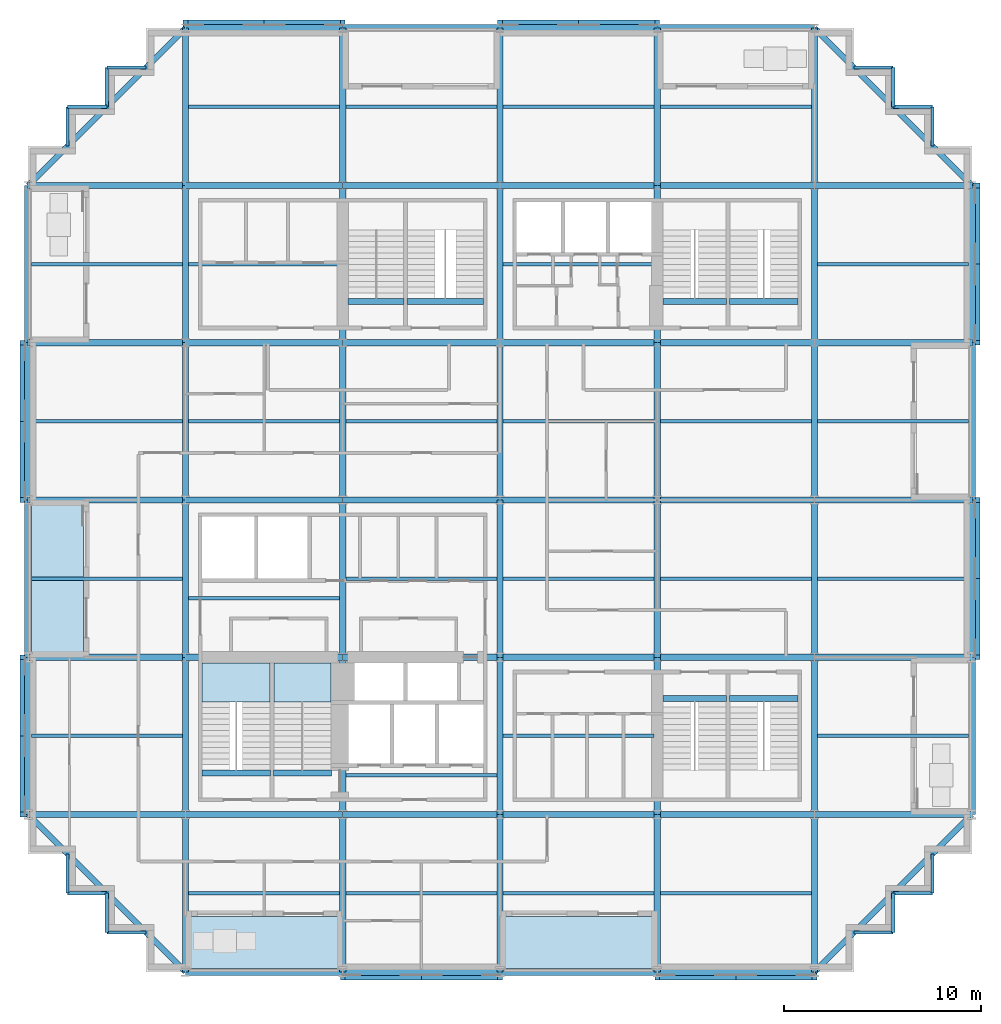
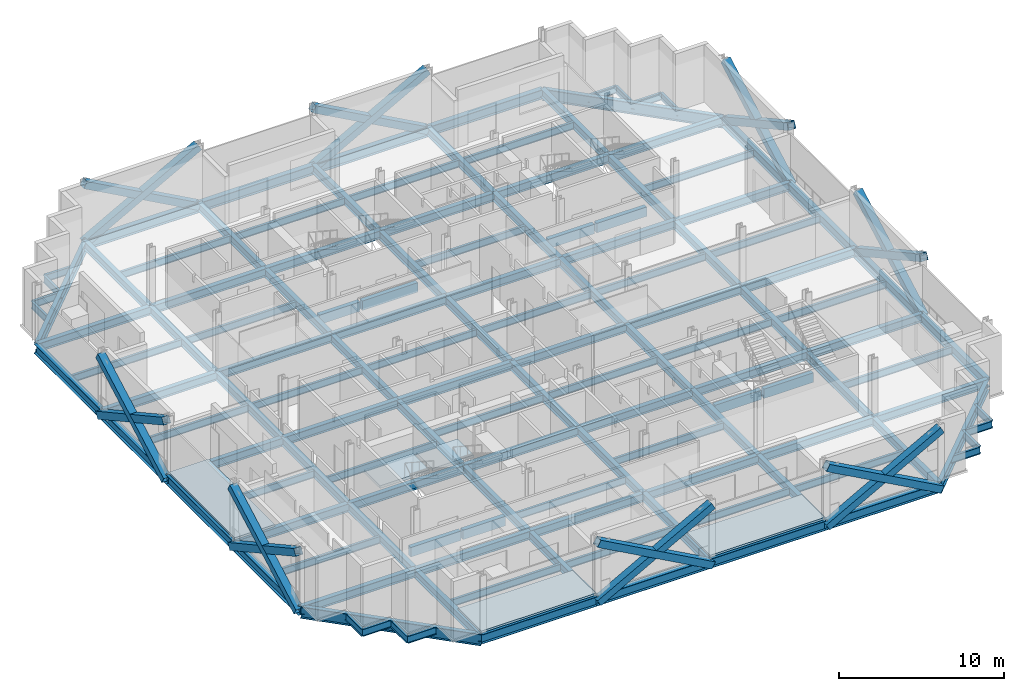
# One storey, part 3 of 14: 132 beams, 16 members, 5 slabs, 2 elements without a shape of their own.
"""IFC4 building model written with IfcOpenShell, lengths in metres."""

from ifc_helpers import new_model, si_unit, direction, frame, origin, origin_2d, place, context, subcontext, project, spatial, polyline, rectangle, hollow_rectangle, i_section, outline, extrude, material, layer, layer_set, material_profile, profile_set, type_object, element, aggregate, save


model = new_model("IFC4")

# Units and contexts
model_context = context("Model", 3, precision=1e-05, world=origin(), true_north=direction((0.0, 1.0)))
body_context = subcontext(model_context, "Body", "Model", "MODEL_VIEW")
ifc_project = project(units=[si_unit("LENGTHUNIT", "METRE"), si_unit("AREAUNIT", "SQUARE_METRE"), si_unit("VOLUMEUNIT", "CUBIC_METRE"), si_unit("PLANEANGLEUNIT", "RADIAN"), si_unit("MASSUNIT", "GRAM", prefix="KILO")], contexts=[model_context])

# Site, building, storey
site_placement = place(None, origin())
site = spatial("IfcSite", under=ifc_project, at=site_placement, CompositionType="ELEMENT")
building_placement = place(site_placement, origin())
building = spatial("IfcBuilding", under=site, at=building_placement, Name="Immortelle Media Tower", CompositionType="ELEMENT")
storey_placement = place(building_placement, frame((0.0, 0.0, 43.60009765625)))
storey = spatial("IfcBuildingStorey", under=building, at=storey_placement, Name="L06", CompositionType="ELEMENT", Elevation=43.60009765625)

# Members
ifc_material_1 = material(Name="Steel ASTM A500 Gr C", Category="steel")
ifc_material_profile_1 = material_profile(ifc_material_1, hollow_rectangle(XDim=0.508056640625, YDim=0.508056640625, WallThickness=0.011962890625, at=origin_2d()), Name="HSS20x20x1/2 brace")
ifc_profile_set_1 = profile_set([ifc_material_profile_1], Name="Steel ASTM A500 Gr C")
member_type = type_object("IfcMemberType", Name="HSS20x20x1/2 brace", PredefinedType="BRACE", material=ifc_profile_set_1)
for number, where, z_axis, x_axis, name in (
    (1, (-0.1640625, 32.0, -0.498046875), (0.0, -0.876220425204, 0.481910537812), (1.0, 0.0, 0.0), "Brace 1/D-E A"),
    (2, (-0.1640625, 32.0, 3.90185546875), (0.0, -0.876220425204, -0.481910537812), (1.0, 0.0, 0.0), "Brace 1/D-E B"),
    (3, (-0.1640625, 16.0, -0.498046875), (0.0, -0.876220425204, 0.481910537812), (1.0, 0.0, 0.0), "Brace 1/B-C A"),
    (4, (-0.1640625, 16.0, 3.90185546875), (0.0, -0.876220425204, -0.481910537812), (1.0, 0.0, 0.0), "Brace 1/B-C B"),
    (5, (16.0, -0.1640625, -0.498046875), (0.876220425204, 0.0, 0.481910537812), (0.0, 1.0, 0.0), "Brace A/3-4 A"),
    (6, (16.0, -0.1640625, 3.90185546875), (0.876220425204, 0.0, -0.481910537812), (0.0, 1.0, 0.0), "Brace A/3-4 B"),
    (7, (32.0, -0.1640625, -0.498046875), (0.876220425204, 0.0, 0.481910537812), (0.0, 1.0, 0.0), "Brace A/5-6 A"),
    (8, (32.0, -0.1640625, 3.90185546875), (0.876220425204, 0.0, -0.481910537812), (0.0, 1.0, 0.0), "Brace A/5-6 B"),
    (9, (48.1640625, 16.0, -0.498046875), (0.0, 0.876220425204, 0.481910537812), (-1.0, 0.0, 0.0), "Brace 7/C-D A"),
    (10, (48.1640625, 16.0, 3.90185546875), (0.0, 0.876220425204, -0.481910537812), (-1.0, 0.0, 0.0), "Brace 7/C-D B"),
    (11, (48.1640625, 32.0, -0.498046875), (0.0, 0.876220425204, 0.481910537812), (-1.0, 0.0, 0.0), "Brace 7/E-F A"),
    (12, (48.1640625, 32.0, 3.90185546875), (0.0, 0.876220425204, -0.481910537812), (-1.0, 0.0, 0.0), "Brace 7/E-F B"),
    (13, (32.0, 48.1640625, -0.498046875), (-0.876220425204, 0.0, 0.481910537812), (0.0, -1.0, 0.0), "Brace G/4-5 A"),
    (14, (32.0, 48.1640625, 3.90185546875), (-0.876220425204, 0.0, -0.481910537812), (0.0, -1.0, 0.0), "Brace G/4-5 B"),
    (15, (16.0, 48.1640625, -0.498046875), (-0.876220425204, 0.0, 0.481910537812), (0.0, -1.0, 0.0), "Brace G/2-3 A"),
    (16, (16.0, 48.1640625, 3.90185546875), (-0.876220425204, 0.0, -0.481910537812), (0.0, -1.0, 0.0), "Brace G/2-3 B"),
):
    element("IfcMember", number, at=place(storey_placement, frame(where, z_axis=z_axis, x_axis=x_axis)), inside=storey, type_object=member_type, Name=name, PredefinedType="BRACE", context=body_context, shape_type="SweptSolid", body=[
        extrude(hollow_rectangle(XDim=0.508056640625, YDim=0.508056640625, WallThickness=0.011962890625, at=origin_2d()), origin(), (0.0, 0.0, 1.0), 9.130126953125),
    ])

# Beams
ifc_material_2 = material(Name="Concrete C50/60", Category="concrete")
ifc_material_profile_2 = material_profile(ifc_material_2, rectangle(XDim=0.300048828125, YDim=0.699951171875, at=origin_2d()), Name="RC 300x700")
ifc_profile_set_2 = profile_set([ifc_material_profile_2], Name="Concrete C50/60")
beam_type_1 = type_object("IfcBeamType", Name="Stair trimmer beam 300 x 700", PredefinedType="BEAM", material=ifc_profile_set_2)
beam_1_placement = place(storey_placement, frame((8.830078125, 10.10498046875, -0.5), z_axis=(1.0, 0.0, 0.0), x_axis=(0.0, 1.0, 0.0)))
element("IfcBeam", 17, at=beam_1_placement, inside=storey, type_object=beam_type_1, Name="Stair trimmer beam SW1", PredefinedType="BEAM", context=body_context, shape_type="SweptSolid", body=[
    extrude(rectangle(XDim=0.300048828125, YDim=0.699951171875, at=origin_2d()), origin(), (0.0, 0.0, 1.0), 3.489990234375),
])
beam_2_placement = place(storey_placement, frame((12.47998046875, 10.10498046875, -0.5), z_axis=(1.0, 0.0, 0.0), x_axis=(0.0, 1.0, 0.0)))
element("IfcBeam", 18, at=beam_2_placement, inside=storey, type_object=beam_type_1, Name="Stair trimmer beam SW2", PredefinedType="BEAM", context=body_context, shape_type="SweptSolid", body=[
    extrude(rectangle(XDim=0.300048828125, YDim=0.699951171875, at=origin_2d()), origin(), (0.0, 0.0, 1.0), 2.93994140625),
])
beam_3_placement = place(storey_placement, frame((32.280029296875, 13.89501953125, -0.5), z_axis=(1.0, 0.0, 0.0), x_axis=(0.0, 1.0, 0.0)))
element("IfcBeam", 19, at=beam_3_placement, inside=storey, type_object=beam_type_1, Name="Stair trimmer beam SE1", PredefinedType="BEAM", context=body_context, shape_type="SweptSolid", body=[
    extrude(rectangle(XDim=0.300048828125, YDim=0.699951171875, at=origin_2d()), origin(), (0.0, 0.0, 1.0), 3.239990234375),
])
beam_4_placement = place(storey_placement, frame((35.679931640625, 13.89501953125, -0.5), z_axis=(1.0, 0.0, 0.0), x_axis=(0.0, 1.0, 0.0)))
element("IfcBeam", 20, at=beam_4_placement, inside=storey, type_object=beam_type_1, Name="Stair trimmer beam SE2", PredefinedType="BEAM", context=body_context, shape_type="SweptSolid", body=[
    extrude(rectangle(XDim=0.300048828125, YDim=0.699951171875, at=origin_2d()), origin(), (0.0, 0.0, 1.0), 3.489990234375),
])
beam_5_placement = place(storey_placement, frame((16.280029296875, 34.10498046875, -0.5), z_axis=(1.0, 0.0, 0.0), x_axis=(0.0, 1.0, 0.0)))
element("IfcBeam", 21, at=beam_5_placement, inside=storey, type_object=beam_type_1, Name="Stair trimmer beam NW1", PredefinedType="BEAM", context=body_context, shape_type="SweptSolid", body=[
    extrude(rectangle(XDim=0.300048828125, YDim=0.699951171875, at=origin_2d()), origin(), (0.0, 0.0, 1.0), 2.840087890625),
])
beam_6_placement = place(storey_placement, frame((19.280029296875, 34.10498046875, -0.5), z_axis=(1.0, 0.0, 0.0), x_axis=(0.0, 1.0, 0.0)))
element("IfcBeam", 22, at=beam_6_placement, inside=storey, type_object=beam_type_1, Name="Stair trimmer beam NW2", PredefinedType="BEAM", context=body_context, shape_type="SweptSolid", body=[
    extrude(rectangle(XDim=0.300048828125, YDim=0.699951171875, at=origin_2d()), origin(), (0.0, 0.0, 1.0), 3.889892578125),
])
beam_7_placement = place(storey_placement, frame((32.280029296875, 34.10498046875, -0.5), z_axis=(1.0, 0.0, 0.0), x_axis=(0.0, 1.0, 0.0)))
element("IfcBeam", 23, at=beam_7_placement, inside=storey, type_object=beam_type_1, Name="Stair trimmer beam NE1", PredefinedType="BEAM", context=body_context, shape_type="SweptSolid", body=[
    extrude(rectangle(XDim=0.300048828125, YDim=0.699951171875, at=origin_2d()), origin(), (0.0, 0.0, 1.0), 3.239990234375),
])
beam_8_placement = place(storey_placement, frame((35.679931640625, 34.10498046875, -0.5), z_axis=(1.0, 0.0, 0.0), x_axis=(0.0, 1.0, 0.0)))
element("IfcBeam", 24, at=beam_8_placement, inside=storey, type_object=beam_type_1, Name="Stair trimmer beam NE2", PredefinedType="BEAM", context=body_context, shape_type="SweptSolid", body=[
    extrude(rectangle(XDim=0.300048828125, YDim=0.699951171875, at=origin_2d()), origin(), (0.0, 0.0, 1.0), 3.489990234375),
])
ifc_material_3 = material(Name="Steel ASTM A992 Gr 50", Category="steel")
ifc_material_profile_3 = material_profile(ifc_material_3, i_section(OverallWidth=0.1669921875, OverallDepth=0.535888671875, WebThickness=0.010009765625, FlangeThickness=0.01708984375, at=origin_2d()), Name="W21x57")
ifc_profile_set_3 = profile_set([ifc_material_profile_3], Name="Steel ASTM A992 Gr 50")
beam_type_2 = type_object("IfcBeamType", Name="W21x57 secondary beam", PredefinedType="JOIST", material=ifc_profile_set_3)
for number, where, z_axis, x_axis, name in (
    (25, (8.162109375, 4.0, -0.418212890625), (1.0, 0.0, 0.0), (0.0, 1.0, 0.0), "Beam A-B/2-3"),
    (26, (16.162109375, 4.0, -0.418212890625), (1.0, 0.0, 0.0), (0.0, 1.0, 0.0), "Beam A-B/3-4"),
    (27, (24.162109375, 4.0, -0.418212890625), (1.0, 0.0, 0.0), (0.0, 1.0, 0.0), "Beam A-B/4-5"),
    (28, (32.162109375, 4.0, -0.418212890625), (1.0, 0.0, 0.0), (0.0, 1.0, 0.0), "Beam A-B/5-6"),
):
    element("IfcBeam", number, at=place(storey_placement, frame(where, z_axis=z_axis, x_axis=x_axis)), inside=storey, type_object=beam_type_2, Name=name, PredefinedType="JOIST", context=body_context, shape_type="SweptSolid", body=[
        extrude(i_section(OverallWidth=0.1669921875, OverallDepth=0.535888671875, WebThickness=0.010009765625, FlangeThickness=0.01708984375, at=origin_2d()), origin(), (0.0, 0.0, 1.0), 7.67578125),
    ])
beam_9_placement = place(storey_placement, frame((0.177978515625, 12.0, -0.418212890625), z_axis=(1.0, 0.0, 0.0), x_axis=(0.0, 1.0, 0.0)))
element("IfcBeam", 29, at=beam_9_placement, inside=storey, type_object=beam_type_2, Name="Beam B-C/1-2", PredefinedType="JOIST", context=body_context, shape_type="SweptSolid", body=[
    extrude(i_section(OverallWidth=0.1669921875, OverallDepth=0.535888671875, WebThickness=0.010009765625, FlangeThickness=0.01708984375, at=origin_2d()), origin(), (0.0, 0.0, 1.0), 7.659912109375),
])
for number, where, z_axis, x_axis, name in (
    (30, (16.162109375, 10.0, -0.418212890625), (1.0, 0.0, 0.0), (0.0, 1.0, 0.0), "Beam B-C/3-4"),
    (31, (24.162109375, 12.0, -0.418212890625), (1.0, 0.0, 0.0), (0.0, 1.0, 0.0), "Beam B-C/4-5"),
):
    element("IfcBeam", number, at=place(storey_placement, frame(where, z_axis=z_axis, x_axis=x_axis)), inside=storey, type_object=beam_type_2, Name=name, PredefinedType="JOIST", context=body_context, shape_type="SweptSolid", body=[
        extrude(i_section(OverallWidth=0.1669921875, OverallDepth=0.535888671875, WebThickness=0.010009765625, FlangeThickness=0.01708984375, at=origin_2d()), origin(), (0.0, 0.0, 1.0), 7.67578125),
    ])
for number, where, z_axis, x_axis, name in (
    (32, (40.162109375, 12.0, -0.418212890625), (1.0, 0.0, 0.0), (0.0, 1.0, 0.0), "Beam B-C/6-7"),
    (33, (0.177978515625, 20.0, -0.418212890625), (1.0, 0.0, 0.0), (0.0, 1.0, 0.0), "Beam C-D/1-2"),
):
    element("IfcBeam", number, at=place(storey_placement, frame(where, z_axis=z_axis, x_axis=x_axis)), inside=storey, type_object=beam_type_2, Name=name, PredefinedType="JOIST", context=body_context, shape_type="SweptSolid", body=[
        extrude(i_section(OverallWidth=0.1669921875, OverallDepth=0.535888671875, WebThickness=0.010009765625, FlangeThickness=0.01708984375, at=origin_2d()), origin(), (0.0, 0.0, 1.0), 7.659912109375),
    ])
for number, where, z_axis, x_axis, name in (
    (34, (8.162109375, 19.0, -0.418212890625), (1.0, 0.0, 0.0), (0.0, 1.0, 0.0), "Beam C-D/2-3"),
    (35, (16.162109375, 20.0, -0.418212890625), (1.0, 0.0, 0.0), (0.0, 1.0, 0.0), "Beam C-D/3-4"),
    (36, (24.162109375, 20.0, -0.418212890625), (1.0, 0.0, 0.0), (0.0, 1.0, 0.0), "Beam C-D/4-5"),
    (37, (32.162109375, 20.0, -0.418212890625), (1.0, 0.0, 0.0), (0.0, 1.0, 0.0), "Beam C-D/5-6"),
):
    element("IfcBeam", number, at=place(storey_placement, frame(where, z_axis=z_axis, x_axis=x_axis)), inside=storey, type_object=beam_type_2, Name=name, PredefinedType="JOIST", context=body_context, shape_type="SweptSolid", body=[
        extrude(i_section(OverallWidth=0.1669921875, OverallDepth=0.535888671875, WebThickness=0.010009765625, FlangeThickness=0.01708984375, at=origin_2d()), origin(), (0.0, 0.0, 1.0), 7.67578125),
    ])
for number, where, z_axis, x_axis, name in (
    (38, (40.162109375, 20.0, -0.418212890625), (1.0, 0.0, 0.0), (0.0, 1.0, 0.0), "Beam C-D/6-7"),
    (39, (0.177978515625, 28.0, -0.418212890625), (1.0, 0.0, 0.0), (0.0, 1.0, 0.0), "Beam D-E/1-2"),
):
    element("IfcBeam", number, at=place(storey_placement, frame(where, z_axis=z_axis, x_axis=x_axis)), inside=storey, type_object=beam_type_2, Name=name, PredefinedType="JOIST", context=body_context, shape_type="SweptSolid", body=[
        extrude(i_section(OverallWidth=0.1669921875, OverallDepth=0.535888671875, WebThickness=0.010009765625, FlangeThickness=0.01708984375, at=origin_2d()), origin(), (0.0, 0.0, 1.0), 7.659912109375),
    ])
for number, where, z_axis, x_axis, name in (
    (40, (8.162109375, 28.0, -0.418212890625), (1.0, 0.0, 0.0), (0.0, 1.0, 0.0), "Beam D-E/2-3"),
    (41, (16.162109375, 28.0, -0.418212890625), (1.0, 0.0, 0.0), (0.0, 1.0, 0.0), "Beam D-E/3-4"),
    (42, (24.162109375, 28.0, -0.418212890625), (1.0, 0.0, 0.0), (0.0, 1.0, 0.0), "Beam D-E/4-5"),
    (43, (32.162109375, 28.0, -0.418212890625), (1.0, 0.0, 0.0), (0.0, 1.0, 0.0), "Beam D-E/5-6"),
):
    element("IfcBeam", number, at=place(storey_placement, frame(where, z_axis=z_axis, x_axis=x_axis)), inside=storey, type_object=beam_type_2, Name=name, PredefinedType="JOIST", context=body_context, shape_type="SweptSolid", body=[
        extrude(i_section(OverallWidth=0.1669921875, OverallDepth=0.535888671875, WebThickness=0.010009765625, FlangeThickness=0.01708984375, at=origin_2d()), origin(), (0.0, 0.0, 1.0), 7.67578125),
    ])
for number, where, z_axis, x_axis, name in (
    (44, (40.162109375, 28.0, -0.418212890625), (1.0, 0.0, 0.0), (0.0, 1.0, 0.0), "Beam D-E/6-7"),
    (45, (0.177978515625, 36.0, -0.418212890625), (1.0, 0.0, 0.0), (0.0, 1.0, 0.0), "Beam E-F/1-2"),
):
    element("IfcBeam", number, at=place(storey_placement, frame(where, z_axis=z_axis, x_axis=x_axis)), inside=storey, type_object=beam_type_2, Name=name, PredefinedType="JOIST", context=body_context, shape_type="SweptSolid", body=[
        extrude(i_section(OverallWidth=0.1669921875, OverallDepth=0.535888671875, WebThickness=0.010009765625, FlangeThickness=0.01708984375, at=origin_2d()), origin(), (0.0, 0.0, 1.0), 7.659912109375),
    ])
for number, where, z_axis, x_axis, name in (
    (46, (8.162109375, 36.0, -0.418212890625), (1.0, 0.0, 0.0), (0.0, 1.0, 0.0), "Beam E-F/2-3"),
    (47, (24.162109375, 36.0, -0.418212890625), (1.0, 0.0, 0.0), (0.0, 1.0, 0.0), "Beam E-F/4-5"),
):
    element("IfcBeam", number, at=place(storey_placement, frame(where, z_axis=z_axis, x_axis=x_axis)), inside=storey, type_object=beam_type_2, Name=name, PredefinedType="JOIST", context=body_context, shape_type="SweptSolid", body=[
        extrude(i_section(OverallWidth=0.1669921875, OverallDepth=0.535888671875, WebThickness=0.010009765625, FlangeThickness=0.01708984375, at=origin_2d()), origin(), (0.0, 0.0, 1.0), 7.67578125),
    ])
beam_10_placement = place(storey_placement, frame((40.162109375, 36.0, -0.418212890625), z_axis=(1.0, 0.0, 0.0), x_axis=(0.0, 1.0, 0.0)))
element("IfcBeam", 48, at=beam_10_placement, inside=storey, type_object=beam_type_2, Name="Beam E-F/6-7", PredefinedType="JOIST", context=body_context, shape_type="SweptSolid", body=[
    extrude(i_section(OverallWidth=0.1669921875, OverallDepth=0.535888671875, WebThickness=0.010009765625, FlangeThickness=0.01708984375, at=origin_2d()), origin(), (0.0, 0.0, 1.0), 7.659912109375),
])
for number, where, z_axis, x_axis, name in (
    (49, (8.162109375, 44.0, -0.418212890625), (1.0, 0.0, 0.0), (0.0, 1.0, 0.0), "Beam F-G/2-3"),
    (50, (16.162109375, 44.0, -0.418212890625), (1.0, 0.0, 0.0), (0.0, 1.0, 0.0), "Beam F-G/3-4"),
    (51, (24.162109375, 44.0, -0.418212890625), (1.0, 0.0, 0.0), (0.0, 1.0, 0.0), "Beam F-G/4-5"),
    (52, (32.162109375, 44.0, -0.418212890625), (1.0, 0.0, 0.0), (0.0, 1.0, 0.0), "Beam F-G/5-6"),
):
    element("IfcBeam", number, at=place(storey_placement, frame(where, z_axis=z_axis, x_axis=x_axis)), inside=storey, type_object=beam_type_2, Name=name, PredefinedType="JOIST", context=body_context, shape_type="SweptSolid", body=[
        extrude(i_section(OverallWidth=0.1669921875, OverallDepth=0.535888671875, WebThickness=0.010009765625, FlangeThickness=0.01708984375, at=origin_2d()), origin(), (0.0, 0.0, 1.0), 7.67578125),
    ])
ifc_material_profile_4 = material_profile(ifc_material_3, i_section(OverallWidth=0.1669921875, OverallDepth=0.535888671875, WebThickness=0.010009765625, FlangeThickness=0.01708984375, at=origin_2d()), Name="W21x57")
ifc_profile_set_4 = profile_set([ifc_material_profile_4], Name="Steel ASTM A992 Gr 50")
beam_type_3 = type_object("IfcBeamType", Name="W21x57 serration edge beam", PredefinedType="SPANDREL", material=ifc_profile_set_4)
for number, where, z_axis, x_axis, name in (
    (53, (6.0, 2.0, -0.418212890625), (-1.0, 0.0, 0.0), (0.0, -1.0, 0.0), "Corner edge beam 1 at 1/A"),
    (54, (4.0, 2.0, -0.418212890625), (0.0, 1.0, 0.0), (-1.0, 0.0, 0.0), "Corner edge beam 2 at 1/A"),
    (55, (4.0, 4.0, -0.418212890625), (-1.0, 0.0, 0.0), (0.0, -1.0, 0.0), "Corner edge beam 3 at 1/A"),
    (56, (2.0, 4.0, -0.418212890625), (0.0, 1.0, 0.0), (-1.0, 0.0, 0.0), "Corner edge beam 4 at 1/A"),
    (57, (2.0, 42.0, -0.418212890625), (0.0, 1.0, 0.0), (-1.0, 0.0, 0.0), "Corner edge beam 1 at 1/G"),
    (58, (2.0, 44.0, -0.418212890625), (1.0, 0.0, 0.0), (0.0, 1.0, 0.0), "Corner edge beam 2 at 1/G"),
    (59, (4.0, 44.0, -0.418212890625), (0.0, 1.0, 0.0), (-1.0, 0.0, 0.0), "Corner edge beam 3 at 1/G"),
    (60, (4.0, 46.0, -0.418212890625), (1.0, 0.0, 0.0), (0.0, 1.0, 0.0), "Corner edge beam 4 at 1/G"),
    (61, (46.0, 6.0, -0.418212890625), (0.0, -1.0, 0.0), (1.0, 0.0, 0.0), "Corner edge beam 1 at 7/A"),
    (62, (46.0, 4.0, -0.418212890625), (-1.0, 0.0, 0.0), (0.0, -1.0, 0.0), "Corner edge beam 2 at 7/A"),
    (63, (44.0, 4.0, -0.418212890625), (0.0, -1.0, 0.0), (1.0, 0.0, 0.0), "Corner edge beam 3 at 7/A"),
    (64, (44.0, 2.0, -0.418212890625), (-1.0, 0.0, 0.0), (0.0, -1.0, 0.0), "Corner edge beam 4 at 7/A"),
    (65, (42.0, 46.0, -0.418212890625), (1.0, 0.0, 0.0), (0.0, 1.0, 0.0), "Corner edge beam 1 at 7/G"),
    (66, (44.0, 46.0, -0.418212890625), (0.0, -1.0, 0.0), (1.0, 0.0, 0.0), "Corner edge beam 2 at 7/G"),
    (67, (44.0, 44.0, -0.418212890625), (1.0, 0.0, 0.0), (0.0, 1.0, 0.0), "Corner edge beam 3 at 7/G"),
    (68, (46.0, 44.0, -0.418212890625), (0.0, -1.0, 0.0), (1.0, 0.0, 0.0), "Corner edge beam 4 at 7/G"),
):
    element("IfcBeam", number, at=place(storey_placement, frame(where, z_axis=z_axis, x_axis=x_axis)), inside=storey, type_object=beam_type_3, Name=name, PredefinedType="SPANDREL", context=body_context, shape_type="SweptSolid", body=[
        extrude(i_section(OverallWidth=0.1669921875, OverallDepth=0.535888671875, WebThickness=0.010009765625, FlangeThickness=0.01708984375, at=origin_2d()), origin(), (0.0, 0.0, 1.0), 2.0),
    ])
ifc_material_profile_5 = material_profile(ifc_material_3, i_section(OverallWidth=0.323974609375, OverallDepth=0.612060546875, WebThickness=0.012939453125, FlangeThickness=0.01904296875, at=origin_2d()), Name="W24x104")
ifc_profile_set_5 = profile_set([ifc_material_profile_5], Name="Steel ASTM A992 Gr 50")
beam_type_4 = type_object("IfcBeamType", Name="W24x104 girder", PredefinedType="BEAM", material=ifc_profile_set_5)
for number, where, z_axis, x_axis, name in (
    (69, (0.0, 8.0, -0.4560546875), (1.0, 0.0, 0.0), (0.0, 1.0, 0.0), "Girder B/1-2"),
    (70, (0.0, 16.0, -0.4560546875), (1.0, 0.0, 0.0), (0.0, 1.0, 0.0), "Girder C/1-2"),
    (71, (0.0, 24.0, -0.4560546875), (1.0, 0.0, 0.0), (0.0, 1.0, 0.0), "Girder D/1-2"),
    (72, (0.0, 32.0, -0.4560546875), (1.0, 0.0, 0.0), (0.0, 1.0, 0.0), "Girder E/1-2"),
    (73, (0.0, 40.0, -0.4560546875), (1.0, 0.0, 0.0), (0.0, 1.0, 0.0), "Girder F/1-2"),
    (74, (8.0, 0.0, -0.4560546875), (0.0, 1.0, 0.0), (-1.0, 0.0, 0.0), "Girder 2/A-B"),
    (75, (8.0, 8.0, -0.4560546875), (1.0, 0.0, 0.0), (0.0, 1.0, 0.0), "Girder B/2-3"),
    (76, (8.0, 8.0, -0.4560546875), (0.0, 1.0, 0.0), (-1.0, 0.0, 0.0), "Girder 2/B-C"),
    (77, (8.0, 16.0, -0.4560546875), (1.0, 0.0, 0.0), (0.0, 1.0, 0.0), "Girder C/2-3"),
    (78, (8.0, 16.0, -0.4560546875), (0.0, 1.0, 0.0), (-1.0, 0.0, 0.0), "Girder 2/C-D"),
    (79, (8.0, 24.0, -0.4560546875), (1.0, 0.0, 0.0), (0.0, 1.0, 0.0), "Girder D/2-3"),
    (80, (8.0, 24.0, -0.4560546875), (0.0, 1.0, 0.0), (-1.0, 0.0, 0.0), "Girder 2/D-E"),
    (81, (8.0, 32.0, -0.4560546875), (1.0, 0.0, 0.0), (0.0, 1.0, 0.0), "Girder E/2-3"),
    (82, (8.0, 32.0, -0.4560546875), (0.0, 1.0, 0.0), (-1.0, 0.0, 0.0), "Girder 2/E-F"),
    (83, (8.0, 40.0, -0.4560546875), (1.0, 0.0, 0.0), (0.0, 1.0, 0.0), "Girder F/2-3"),
    (84, (8.0, 40.0, -0.4560546875), (0.0, 1.0, 0.0), (-1.0, 0.0, 0.0), "Girder 2/F-G"),
    (85, (16.0, 0.0, -0.4560546875), (0.0, 1.0, 0.0), (-1.0, 0.0, 0.0), "Girder 3/A-B"),
    (86, (16.0, 8.0, -0.4560546875), (1.0, 0.0, 0.0), (0.0, 1.0, 0.0), "Girder B/3-4"),
    (87, (16.0, 8.0, -0.4560546875), (0.0, 1.0, 0.0), (-1.0, 0.0, 0.0), "Girder 3/B-C"),
    (88, (16.0, 16.0, -0.4560546875), (1.0, 0.0, 0.0), (0.0, 1.0, 0.0), "Girder C/3-4"),
    (89, (16.0, 16.0, -0.4560546875), (0.0, 1.0, 0.0), (-1.0, 0.0, 0.0), "Girder 3/C-D"),
    (90, (16.0, 24.0, -0.4560546875), (1.0, 0.0, 0.0), (0.0, 1.0, 0.0), "Girder D/3-4"),
    (91, (16.0, 24.0, -0.4560546875), (0.0, 1.0, 0.0), (-1.0, 0.0, 0.0), "Girder 3/D-E"),
    (92, (16.0, 32.0, -0.4560546875), (1.0, 0.0, 0.0), (0.0, 1.0, 0.0), "Girder E/3-4"),
    (93, (16.0, 32.0, -0.4560546875), (0.0, 1.0, 0.0), (-1.0, 0.0, 0.0), "Girder 3/E-F"),
    (94, (16.0, 40.0, -0.4560546875), (1.0, 0.0, 0.0), (0.0, 1.0, 0.0), "Girder F/3-4"),
    (95, (16.0, 40.0, -0.4560546875), (0.0, 1.0, 0.0), (-1.0, 0.0, 0.0), "Girder 3/F-G"),
    (96, (24.0, 0.0, -0.4560546875), (0.0, 1.0, 0.0), (-1.0, 0.0, 0.0), "Girder 4/A-B"),
    (97, (24.0, 8.0, -0.4560546875), (1.0, 0.0, 0.0), (0.0, 1.0, 0.0), "Girder B/4-5"),
    (98, (24.0, 8.0, -0.4560546875), (0.0, 1.0, 0.0), (-1.0, 0.0, 0.0), "Girder 4/B-C"),
    (99, (24.0, 16.0, -0.4560546875), (1.0, 0.0, 0.0), (0.0, 1.0, 0.0), "Girder C/4-5"),
    (100, (24.0, 16.0, -0.4560546875), (0.0, 1.0, 0.0), (-1.0, 0.0, 0.0), "Girder 4/C-D"),
    (101, (24.0, 24.0, -0.4560546875), (1.0, 0.0, 0.0), (0.0, 1.0, 0.0), "Girder D/4-5"),
    (102, (24.0, 24.0, -0.4560546875), (0.0, 1.0, 0.0), (-1.0, 0.0, 0.0), "Girder 4/D-E"),
    (103, (24.0, 32.0, -0.4560546875), (1.0, 0.0, 0.0), (0.0, 1.0, 0.0), "Girder E/4-5"),
    (104, (24.0, 32.0, -0.4560546875), (0.0, 1.0, 0.0), (-1.0, 0.0, 0.0), "Girder 4/E-F"),
    (105, (24.0, 40.0, -0.4560546875), (1.0, 0.0, 0.0), (0.0, 1.0, 0.0), "Girder F/4-5"),
    (106, (24.0, 40.0, -0.4560546875), (0.0, 1.0, 0.0), (-1.0, 0.0, 0.0), "Girder 4/F-G"),
    (107, (32.0, 0.0, -0.4560546875), (0.0, 1.0, 0.0), (-1.0, 0.0, 0.0), "Girder 5/A-B"),
    (108, (32.0, 8.0, -0.4560546875), (1.0, 0.0, 0.0), (0.0, 1.0, 0.0), "Girder B/5-6"),
    (109, (32.0, 8.0, -0.4560546875), (0.0, 1.0, 0.0), (-1.0, 0.0, 0.0), "Girder 5/B-C"),
    (110, (32.0, 16.0, -0.4560546875), (1.0, 0.0, 0.0), (0.0, 1.0, 0.0), "Girder C/5-6"),
    (111, (32.0, 16.0, -0.4560546875), (0.0, 1.0, 0.0), (-1.0, 0.0, 0.0), "Girder 5/C-D"),
    (112, (32.0, 24.0, -0.4560546875), (1.0, 0.0, 0.0), (0.0, 1.0, 0.0), "Girder D/5-6"),
    (113, (32.0, 24.0, -0.4560546875), (0.0, 1.0, 0.0), (-1.0, 0.0, 0.0), "Girder 5/D-E"),
    (114, (32.0, 32.0, -0.4560546875), (1.0, 0.0, 0.0), (0.0, 1.0, 0.0), "Girder E/5-6"),
    (115, (32.0, 32.0, -0.4560546875), (0.0, 1.0, 0.0), (-1.0, 0.0, 0.0), "Girder 5/E-F"),
    (116, (32.0, 40.0, -0.4560546875), (1.0, 0.0, 0.0), (0.0, 1.0, 0.0), "Girder F/5-6"),
    (117, (32.0, 40.0, -0.4560546875), (0.0, 1.0, 0.0), (-1.0, 0.0, 0.0), "Girder 5/F-G"),
    (118, (40.0, 0.0, -0.4560546875), (0.0, 1.0, 0.0), (-1.0, 0.0, 0.0), "Girder 6/A-B"),
    (119, (40.0, 8.0, -0.4560546875), (1.0, 0.0, 0.0), (0.0, 1.0, 0.0), "Girder B/6-7"),
    (120, (40.0, 8.0, -0.4560546875), (0.0, 1.0, 0.0), (-1.0, 0.0, 0.0), "Girder 6/B-C"),
    (121, (40.0, 16.0, -0.4560546875), (1.0, 0.0, 0.0), (0.0, 1.0, 0.0), "Girder C/6-7"),
    (122, (40.0, 16.0, -0.4560546875), (0.0, 1.0, 0.0), (-1.0, 0.0, 0.0), "Girder 6/C-D"),
    (123, (40.0, 24.0, -0.4560546875), (1.0, 0.0, 0.0), (0.0, 1.0, 0.0), "Girder D/6-7"),
    (124, (40.0, 24.0, -0.4560546875), (0.0, 1.0, 0.0), (-1.0, 0.0, 0.0), "Girder 6/D-E"),
    (125, (40.0, 32.0, -0.4560546875), (1.0, 0.0, 0.0), (0.0, 1.0, 0.0), "Girder E/6-7"),
    (126, (40.0, 32.0, -0.4560546875), (0.0, 1.0, 0.0), (-1.0, 0.0, 0.0), "Girder 6/E-F"),
    (127, (40.0, 40.0, -0.4560546875), (1.0, 0.0, 0.0), (0.0, 1.0, 0.0), "Girder F/6-7"),
    (128, (40.0, 40.0, -0.4560546875), (0.0, 1.0, 0.0), (-1.0, 0.0, 0.0), "Girder 6/F-G"),
):
    element("IfcBeam", number, at=place(storey_placement, frame(where, z_axis=z_axis, x_axis=x_axis)), inside=storey, type_object=beam_type_4, Name=name, PredefinedType="BEAM", context=body_context, shape_type="SweptSolid", body=[
        extrude(i_section(OverallWidth=0.323974609375, OverallDepth=0.612060546875, WebThickness=0.012939453125, FlangeThickness=0.01904296875, at=origin_2d()), origin(), (0.0, 0.0, 1.0), 8.0),
    ])
ifc_material_profile_6 = material_profile(ifc_material_3, i_section(OverallWidth=0.35595703125, OverallDepth=0.696044921875, WebThickness=0.014892578125, FlangeThickness=0.02490234375, at=origin_2d()), Name="W27x146")
ifc_profile_set_6 = profile_set([ifc_material_profile_6], Name="Steel ASTM A992 Gr 50")
beam_type_5 = type_object("IfcBeamType", Name="W27x146 perimeter girder", PredefinedType="SPANDREL", material=ifc_profile_set_6)
for number, where, z_axis, x_axis, name in (
    (129, (0.0, 8.0, -0.498046875), (0.0, 1.0, 0.0), (-1.0, 0.0, 0.0), "Girder 1/B-C"),
    (130, (0.0, 16.0, -0.498046875), (0.0, 1.0, 0.0), (-1.0, 0.0, 0.0), "Girder 1/C-D"),
    (131, (0.0, 24.0, -0.498046875), (0.0, 1.0, 0.0), (-1.0, 0.0, 0.0), "Girder 1/D-E"),
    (132, (0.0, 32.0, -0.498046875), (0.0, 1.0, 0.0), (-1.0, 0.0, 0.0), "Girder 1/E-F"),
    (133, (8.0, 0.0, -0.498046875), (1.0, 0.0, 0.0), (0.0, 1.0, 0.0), "Girder A/2-3"),
    (134, (8.0, 48.0, -0.498046875), (1.0, 0.0, 0.0), (0.0, 1.0, 0.0), "Girder G/2-3"),
    (135, (16.0, 0.0, -0.498046875), (1.0, 0.0, 0.0), (0.0, 1.0, 0.0), "Girder A/3-4"),
    (136, (16.0, 48.0, -0.498046875), (1.0, 0.0, 0.0), (0.0, 1.0, 0.0), "Girder G/3-4"),
    (137, (24.0, 0.0, -0.498046875), (1.0, 0.0, 0.0), (0.0, 1.0, 0.0), "Girder A/4-5"),
    (138, (24.0, 48.0, -0.498046875), (1.0, 0.0, 0.0), (0.0, 1.0, 0.0), "Girder G/4-5"),
    (139, (32.0, 0.0, -0.498046875), (1.0, 0.0, 0.0), (0.0, 1.0, 0.0), "Girder A/5-6"),
    (140, (32.0, 48.0, -0.498046875), (1.0, 0.0, 0.0), (0.0, 1.0, 0.0), "Girder G/5-6"),
    (141, (48.0, 8.0, -0.498046875), (0.0, 1.0, 0.0), (-1.0, 0.0, 0.0), "Girder 7/B-C"),
    (142, (48.0, 16.0, -0.498046875), (0.0, 1.0, 0.0), (-1.0, 0.0, 0.0), "Girder 7/C-D"),
    (143, (48.0, 24.0, -0.498046875), (0.0, 1.0, 0.0), (-1.0, 0.0, 0.0), "Girder 7/D-E"),
    (144, (48.0, 32.0, -0.498046875), (0.0, 1.0, 0.0), (-1.0, 0.0, 0.0), "Girder 7/E-F"),
):
    element("IfcBeam", number, at=place(storey_placement, frame(where, z_axis=z_axis, x_axis=x_axis)), inside=storey, type_object=beam_type_5, Name=name, PredefinedType="SPANDREL", context=body_context, shape_type="SweptSolid", body=[
        extrude(i_section(OverallWidth=0.35595703125, OverallDepth=0.696044921875, WebThickness=0.014892578125, FlangeThickness=0.02490234375, at=origin_2d()), origin(), (0.0, 0.0, 1.0), 8.0),
    ])
ifc_material_profile_7 = material_profile(ifc_material_3, i_section(OverallWidth=0.2919921875, OverallDepth=0.85888671875, WebThickness=0.01708984375, FlangeThickness=0.031005859375, at=origin_2d()), Name="W33x169")
ifc_profile_set_7 = profile_set([ifc_material_profile_7], Name="Steel ASTM A992 Gr 50")
beam_type_6 = type_object("IfcBeamType", Name="W33x169 corner girder", PredefinedType="SPANDREL", material=ifc_profile_set_7)
for number, where, z_axis, x_axis, name in (
    (145, (8.0, 0.0, -0.57958984375), (-0.707106781187, 0.707106781187, 0.0), (-0.707106781187, -0.707106781187, 0.0), "Corner girder at 1/A"),
    (146, (0.0, 40.0, -0.57958984375), (0.707106781187, 0.707106781187, 0.0), (-0.707106781187, 0.707106781187, 0.0), "Corner girder at 1/G"),
    (147, (48.0, 8.0, -0.57958984375), (-0.707106781187, -0.707106781187, 0.0), (0.707106781187, -0.707106781187, 0.0), "Corner girder at 7/A"),
    (148, (40.0, 48.0, -0.57958984375), (0.707106781187, -0.707106781187, 0.0), (0.707106781187, 0.707106781187, 0.0), "Corner girder at 7/G"),
):
    element("IfcBeam", number, at=place(storey_placement, frame(where, z_axis=z_axis, x_axis=x_axis)), inside=storey, type_object=beam_type_6, Name=name, PredefinedType="SPANDREL", context=body_context, shape_type="SweptSolid", body=[
        extrude(i_section(OverallWidth=0.2919921875, OverallDepth=0.85888671875, WebThickness=0.01708984375, FlangeThickness=0.031005859375, at=origin_2d()), origin(), (0.0, 0.0, 1.0), 11.313720703125),
    ])

# Slabs
ifc_material_4 = material(Name="Concrete C50/60 composite deck", Category="concrete")
ifc_layer_1 = layer(ifc_material_4, 0.14990234375)
ifc_layer_set_1 = layer_set([ifc_layer_1], Name="Concrete C50/60 composite deck")
slab_type_1 = type_object("IfcSlabType", Name="Balcony slab 150", PredefinedType="FLOOR", material=ifc_layer_set_1)
slab_1_placement = place(storey_placement, frame((0.0, 0.0, -0.150146484375)))
element("IfcSlab", 149, at=slab_1_placement, inside=storey, type_object=slab_type_1, Name="Balcony slab L06 W2", PredefinedType="FLOOR", context=body_context, shape_type="SweptSolid", body=[
    extrude(outline(polyline([(2.800048828125, 16.0), (2.800048828125, 24.0), (0.0, 24.0), (0.0, 16.0), (2.800048828125, 16.0)])), origin(), (0.0, 0.0, 1.0), 0.150146484375),
])
slab_2_placement = place(storey_placement, frame((0.0, 0.0, -0.150146484375)))
element("IfcSlab", 150, at=slab_2_placement, inside=storey, type_object=slab_type_1, Name="Balcony slab L06 S0", PredefinedType="FLOOR", context=body_context, shape_type="SweptSolid", body=[
    extrude(outline(polyline([(16.0, 0.0), (16.0, 2.800048828125), (8.0, 2.800048828125), (8.0, 0.0), (16.0, 0.0)])), origin(), (0.0, 0.0, 1.0), 0.150146484375),
])
slab_3_placement = place(storey_placement, frame((0.0, 0.0, -0.150146484375)))
element("IfcSlab", 151, at=slab_3_placement, inside=storey, type_object=slab_type_1, Name="Balcony slab L06 S2", PredefinedType="FLOOR", context=body_context, shape_type="SweptSolid", body=[
    extrude(outline(polyline([(32.0, 0.0), (32.0, 2.800048828125), (24.0, 2.800048828125), (24.0, 0.0), (32.0, 0.0)])), origin(), (0.0, 0.0, 1.0), 0.150146484375),
])

# Stair, slab
stair_type = type_object("IfcStairType", Name="Stair with flights", PredefinedType="DOUBLE_RETURN_STAIR", material=ifc_material_3)
stair_1_placement = place(storey_placement, origin())
stair_1 = element("IfcStair", 152, at=stair_1_placement, inside=storey, type_object=stair_type, Name="Exit stair SW1", PredefinedType="DOUBLE_RETURN_STAIR")
ifc_material_5 = material(Name="Steel ASTM A572 Gr 50", Category="steel")
ifc_layer_2 = layer(ifc_material_5, 0.199951171875)
ifc_layer_set_2 = layer_set([ifc_layer_2], Name="Steel ASTM A572 Gr 50")
slab_type_2 = type_object("IfcSlabType", Name="Stair landing 200", PredefinedType="LANDING", material=ifc_layer_set_2)
slab_4_placement = place(storey_placement, frame((0.0, 0.0, 1.911865234375)))
slab_4 = element("IfcSlab", 153, at=slab_4_placement, type_object=slab_type_2, Name="ST SW1 landing 1", PredefinedType="LANDING", context=body_context, shape_type="SweptSolid", body=[
    extrude(outline(polyline([(8.85009765625, 13.72998046875), (12.300048828125, 13.72998046875), (12.300048828125, 15.699951171875), (8.85009765625, 15.699951171875), (8.85009765625, 13.72998046875)])), origin(), (0.0, 0.0, 1.0), 0.199951171875),
])
aggregate(stair_1, [slab_4])

stair_2_placement = place(storey_placement, origin())
stair_2 = element("IfcStair", 154, at=stair_2_placement, inside=storey, type_object=stair_type, Name="Exit stair SW2", PredefinedType="DOUBLE_RETURN_STAIR")
slab_5_placement = place(storey_placement, frame((0.0, 0.0, 1.911865234375)))
slab_5 = element("IfcSlab", 155, at=slab_5_placement, type_object=slab_type_2, Name="ST SW2 landing 1", PredefinedType="LANDING", context=body_context, shape_type="SweptSolid", body=[
    extrude(outline(polyline([(12.5, 13.72998046875), (15.39990234375, 13.72998046875), (15.39990234375, 15.699951171875), (12.5, 15.699951171875), (12.5, 13.72998046875)])), origin(), (0.0, 0.0, 1.0), 0.199951171875),
])
aggregate(stair_2, [slab_5])

save(model, "model.ifc")
